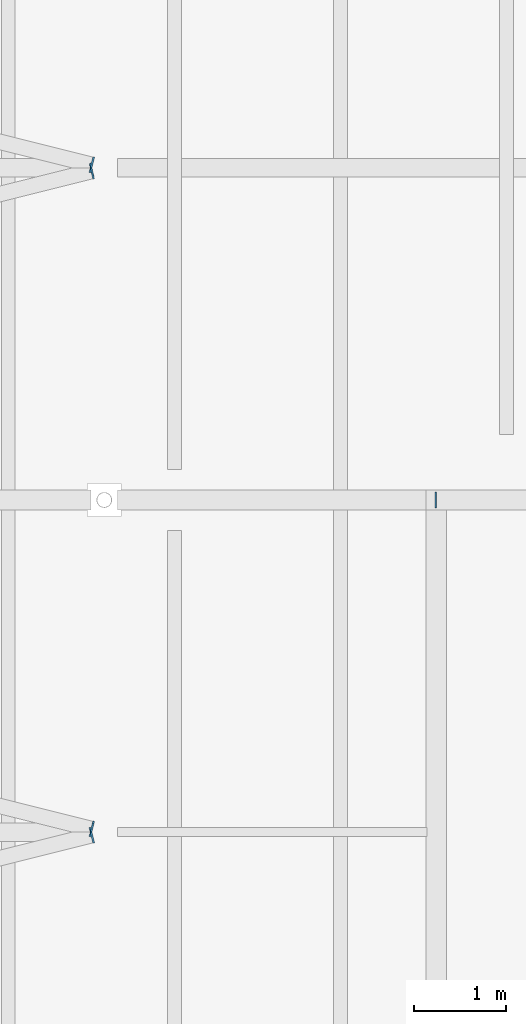
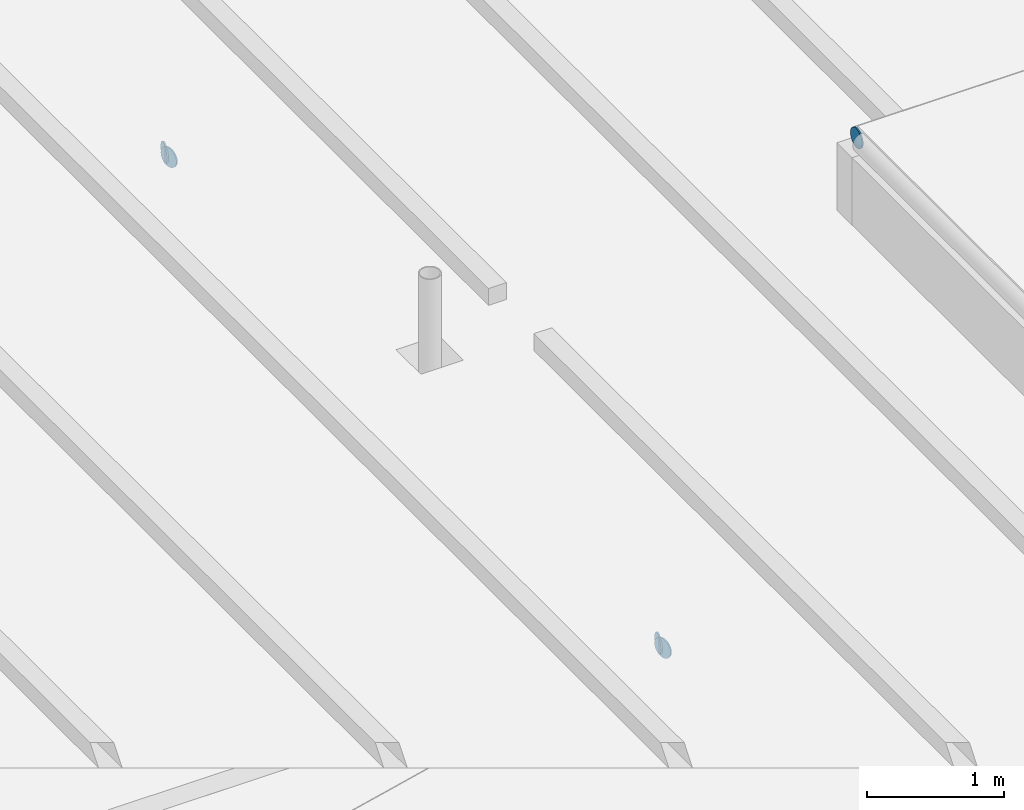
# One storey, part 72 of 120: 5 discrete accessories.
"""IFC4 building model written with IfcOpenShell, lengths in metres."""

import ifcopenshell
import ifcopenshell.guid

model = None  # the IFC model being written
_history = None  # IfcOwnerHistory: only IFC2X3 demands one
_inside = {}  # id of a spatial element -> (the spatial element, [elements in it])
_under = {}  # id of a project, library or spatial element -> (it, [spatial elements below it])
_declared = {}  # id of a project -> (the project, [libraries it declares])
_typed = {}  # id of a type object -> (the type object, [elements of that type])
_made_of = {}  # id of a material, layer set ... -> (it, [elements and type objects made of it])


def new_model(schema):
    """Start an empty IFC model of exactly this schema.

    Asked for "IFC4X3", IfcOpenShell would pick the latest addendum, in which some entities
    have other attributes; the version numbers below select the first issue.
    IFC2X3 requires an IfcOwnerHistory on every rooted entity: one is made here for all.
    """
    global model, _history
    if schema == "IFC4X3":
        model = ifcopenshell.file(schema_version=(4, 3, 0, 0))
    else:
        model = ifcopenshell.file(schema=schema)
    _inside.clear()
    _under.clear()
    _declared.clear()
    _typed.clear()
    _made_of.clear()
    _history = None
    if model.schema == "IFC2X3":
        org = make("IfcOrganization", Name="unknown")
        user = make(
            "IfcPersonAndOrganization",
            ThePerson=make("IfcPerson", FamilyName="unknown"),
            TheOrganization=org,
        )
        app = make(
            "IfcApplication",
            ApplicationDeveloper=org,
            Version="unknown",
            ApplicationFullName="unknown",
            ApplicationIdentifier="unknown",
        )
        _history = make(
            "IfcOwnerHistory",
            OwningUser=user,
            OwningApplication=app,
            ChangeAction="ADDED",
            CreationDate=0,
        )
    return model


def make(cls, **values):
    """One entity of the class cls with the attributes given. An attribute that is None is left unset."""
    return model.create_entity(
        cls, **{name: value for name, value in values.items() if value is not None}
    )


def rooted(cls, **values):
    """An entity with a GlobalId (a new one), such as an element, a storey or a relation."""
    return make(cls, GlobalId=ifcopenshell.guid.new(), OwnerHistory=_history, **values)


def si_unit(unit_type, name, prefix=None):
    """IfcSIUnit, for example si_unit("LENGTHUNIT", "METRE", prefix="MILLI")."""
    return make("IfcSIUnit", UnitType=unit_type, Prefix=prefix, Name=name)


def assignment(units):
    """IfcUnitAssignment: the units of a project."""
    return None if units is None else make("IfcUnitAssignment", Units=units)


def point(xyz):
    """IfcCartesianPoint."""
    return None if xyz is None else make("IfcCartesianPoint", Coordinates=xyz)


def direction(xyz):
    """IfcDirection."""
    return None if xyz is None else make("IfcDirection", DirectionRatios=xyz)


def frame(location, z_axis=None, x_axis=None):
    """IfcAxis2Placement3D, a coordinate frame: its origin and axes. An axis left out is left unset."""
    return make(
        "IfcAxis2Placement3D",
        Location=point(location),
        Axis=direction(z_axis),
        RefDirection=direction(x_axis),
    )


def frame_2d(location, x_axis=None):
    """IfcAxis2Placement2D, a coordinate frame in the plane: its origin and x axis."""
    return make(
        "IfcAxis2Placement2D", Location=point(location), RefDirection=direction(x_axis)
    )


def origin():
    """The frame at (0, 0, 0) with its axes left unset."""
    return frame((0.0, 0.0, 0.0))


def origin_2d():
    """The frame at (0, 0) in the plane with its x axis left unset."""
    return frame_2d((0.0, 0.0))


def place(relative_to, where):
    """IfcLocalPlacement: puts the frame where relative to a parent placement (None: the world)."""
    return make(
        "IfcLocalPlacement", PlacementRelTo=relative_to, RelativePlacement=where
    )


def context(
    kind, dimensions, precision=None, world=None, true_north=None, identifier=None
):
    """IfcGeometricRepresentationContext, for example the 3D "Model" context."""
    return make(
        "IfcGeometricRepresentationContext",
        ContextIdentifier=identifier,
        ContextType=kind,
        CoordinateSpaceDimension=dimensions,
        Precision=precision,
        WorldCoordinateSystem=world,
        TrueNorth=true_north,
    )


def subcontext(parent, identifier, kind, view, scale=None):
    """IfcGeometricRepresentationSubContext, for example "Body" below "Model"."""
    return make(
        "IfcGeometricRepresentationSubContext",
        ContextIdentifier=identifier,
        ContextType=kind,
        ParentContext=parent,
        TargetScale=scale,
        TargetView=view,
    )


def project(units=None, contexts=None):
    """IfcProject with its units and contexts."""
    return rooted(
        "IfcProject",
        Name="project",
        RepresentationContexts=contexts,
        UnitsInContext=assignment(units),
    )


def spatial(cls, under=None, at=None, **own):
    """A site, building, storey or space (cls), placed at a placement, below another one or the project."""
    s = rooted(cls, ObjectPlacement=at, **own)
    if under is not None:
        _under.setdefault(under.id(), (under, []))[1].append(s)
    return s


def profile(cls, at=None, kind="AREA", **sizes):
    """A parametric profile (cls). Its sizes go by their IFC names, for example OverallWidth=200.0."""
    return make(cls, ProfileType=kind, Position=at, **sizes)


def circle(**sizes):
    """IfcCircleProfileDef."""
    return profile("IfcCircleProfileDef", **sizes)


def extrude(swept, where, along, depth):
    """IfcExtrudedAreaSolid: the profile swept, set in the frame where, extruded along a direction by depth."""
    return make(
        "IfcExtrudedAreaSolid",
        SweptArea=swept,
        Position=where,
        ExtrudedDirection=direction(along),
        Depth=depth,
    )


def shape(context_of_items, identifier, shape_type, items):
    """IfcShapeRepresentation: the items that make up one representation, for example the "Body"."""
    return make(
        "IfcShapeRepresentation",
        ContextOfItems=context_of_items,
        RepresentationIdentifier=identifier,
        RepresentationType=shape_type,
        Items=items,
    )


def material(Name=None, Category=None):
    """IfcMaterial."""
    return make("IfcMaterial", Name=Name, Category=Category)


def layer(
    of_material, thickness, ventilated=None, Name=None, Category=None, Priority=None
):
    """IfcMaterialLayer: one layer of a wall or slab, of a material (None: an air gap)."""
    return make(
        "IfcMaterialLayer",
        Material=of_material,
        LayerThickness=thickness,
        IsVentilated=ventilated,
        Name=Name,
        Category=Category,
        Priority=Priority,
    )


def layer_set(layers, Name=None):
    """IfcMaterialLayerSet."""
    return make("IfcMaterialLayerSet", MaterialLayers=layers, LayerSetName=Name)


def made_of(thing, what):
    """Note that an element or type object is made of a material, layer set ...; save() writes the relation."""
    if what is not None:
        _made_of.setdefault(what.id(), (what, []))[1].append(thing)
    return thing


def type_object(cls, material=None, **own):
    """A type object (cls), such as IfcWallType, which elements share."""
    return made_of(rooted(cls, **own), material)


def element(
    cls,
    number,
    at=None,
    inside=None,
    cuts=None,
    type_object=None,
    material=None,
    context=None,
    identifier="Body",
    shape_type=None,
    held_by="IfcProductDefinitionShape",
    body=None,
    shapes=None,
    **own,
):
    """One element of the class cls, such as IfcWall. Its Tag is "e" and its number.

    at: its placement. inside: the storey or other place that contains it. cuts: it is an
    opening in that element (IfcRelVoidsElement). A single representation is given by context,
    identifier, shape_type and body (its items); several are given by shapes. held_by: the class
    of the entity that holds the representations. save() writes the other relations.
    """
    e = rooted(cls, Tag="e%d" % number, ObjectPlacement=at, **own)
    if body is not None:
        shapes = [shape(context, identifier, shape_type, body)]
    if shapes is not None:
        e.Representation = make(held_by, Representations=shapes)
    if inside is not None:
        _inside.setdefault(inside.id(), (inside, []))[1].append(e)
    if cuts is not None:
        rooted(
            "IfcRelVoidsElement", RelatingBuildingElement=cuts, RelatedOpeningElement=e
        )
    if type_object is not None:
        _typed.setdefault(type_object.id(), (type_object, []))[1].append(e)
    return made_of(e, material)


def aggregate(whole, parts):
    """IfcRelAggregates: a whole, such as a stair, and the parts it consists of."""
    return rooted("IfcRelAggregates", RelatingObject=whole, RelatedObjects=parts)


def save(model, path):
    """Write the relations noted so far, then the file.

    IfcRelAggregates (storeys below a building ...), IfcRelContainedInSpatialStructure (elements
    in a storey), IfcRelDefinesByType, IfcRelAssociatesMaterial and IfcRelDeclares: one each for
    every whole, place, type object, material and project.
    """
    for whole, parts in _under.values():
        aggregate(whole, parts)
    for where, things in _inside.values():
        rooted(
            "IfcRelContainedInSpatialStructure",
            RelatedElements=things,
            RelatingStructure=where,
        )
    for kind, things in _typed.values():
        rooted("IfcRelDefinesByType", RelatedObjects=things, RelatingType=kind)
    for what, things in _made_of.values():
        rooted("IfcRelAssociatesMaterial", RelatedObjects=things, RelatingMaterial=what)
    for by, libraries in _declared.values():
        rooted("IfcRelDeclares", RelatingContext=by, RelatedDefinitions=libraries)
    model.write(path)


model = new_model("IFC4")

# Units and contexts
model_context = context("Model", 3, precision=1e-05, world=origin(), true_north=direction((0.0, 1.0)))
body_context = subcontext(model_context, "Body", "Model", "MODEL_VIEW")
ifc_project = project(units=[si_unit("LENGTHUNIT", "METRE"), si_unit("AREAUNIT", "SQUARE_METRE"), si_unit("VOLUMEUNIT", "CUBIC_METRE"), si_unit("PLANEANGLEUNIT", "RADIAN"), si_unit("MASSUNIT", "GRAM", prefix="KILO")], contexts=[model_context])

# Site, building, storey
site_placement = place(None, origin())
site = spatial("IfcSite", under=ifc_project, at=site_placement, CompositionType="ELEMENT")
building_placement = place(site_placement, origin())
building = spatial("IfcBuilding", under=site, at=building_placement, Name="Kupolbacken Congress Centre", CompositionType="ELEMENT")
storey_placement = place(building_placement, frame((0.0, 0.0, 21.60009765625)))
storey = spatial("IfcBuildingStorey", under=building, at=storey_placement, Name="L06", CompositionType="ELEMENT", Elevation=21.60009765625)

# Discrete accessories
ifc_material = material(Name="Steel S355", Category="steel")
ifc_layer = layer(ifc_material, 0.011962890625)
ifc_layer_set = layer_set([ifc_layer], Name="Steel S355")
discrete_accessory_type = type_object("IfcDiscreteAccessoryType", Name="EC2 tube end cap plate 168 dia x 12", PredefinedType="BRACKET", material=ifc_layer_set)
for number, where, z_axis, x_axis, name in (
    (1, (107.859375, 57.564697265625, -0.084228515625), (0.970142500145, 0.242535625036, 0.0), (-0.242535625036, 0.970142500145, 0.0), "End cap plate HR/RB/01-03 B"),
    (2, (107.859375, 57.63525390625, -0.084228515625), (0.970142500145, -0.242535625036, 0.0), (0.242535625036, 0.970142500145, 0.0), "End cap plate HR/RB/01-04 A"),
    (3, (107.859375, 64.764892578125, -0.084228515625), (0.974732318528, 0.223376156329, 0.0), (-0.223376156329, 0.974732318528, 0.0), "End cap plate HR/RB/01-05 B"),
    (4, (107.859375, 64.835205078125, -0.084228515625), (0.970142500145, -0.242535625036, 0.0), (0.242535625036, 0.970142500145, 0.0), "End cap plate HR/RB/01-06 A"),
):
    element("IfcDiscreteAccessory", number, at=place(storey_placement, frame(where, z_axis=z_axis, x_axis=x_axis)), inside=storey, type_object=discrete_accessory_type, Name=name, PredefinedType="BRACKET", context=body_context, shape_type="SweptSolid", body=[
        extrude(circle(Radius=0.084228515625, at=origin_2d()), origin(), (0.0, 0.0, 1.0), 0.011962890625),
    ])
discrete_accessory_placement = place(storey_placement, frame((111.60009765625, 61.199951171875, 0.944091796875), z_axis=(-1.0, 0.0, 0.0), x_axis=(0.0, -1.0, 0.0)))
element("IfcDiscreteAccessory", 5, at=discrete_accessory_placement, inside=storey, type_object=discrete_accessory_type, Name="End cap plate RD/RL1/FN A", PredefinedType="BRACKET", context=body_context, shape_type="SweptSolid", body=[
    extrude(circle(Radius=0.084228515625, at=origin_2d()), origin(), (0.0, 0.0, 1.0), 0.01220703125),
])

save(model, "model.ifc")
